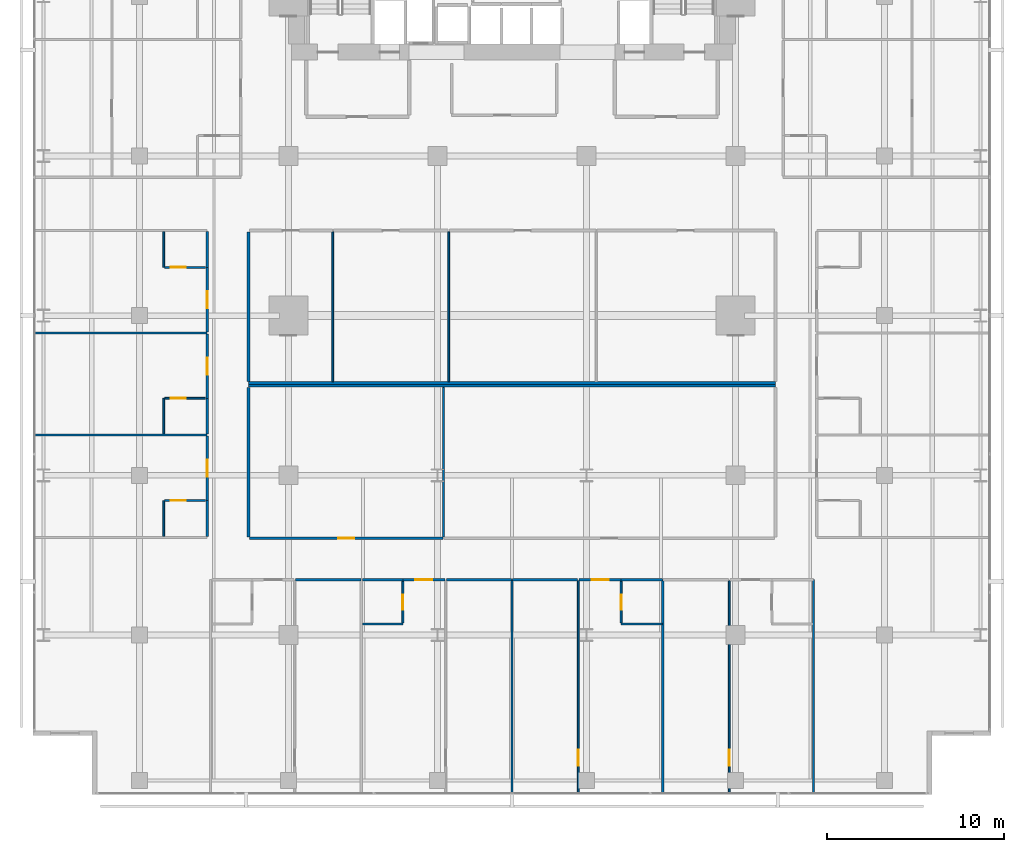
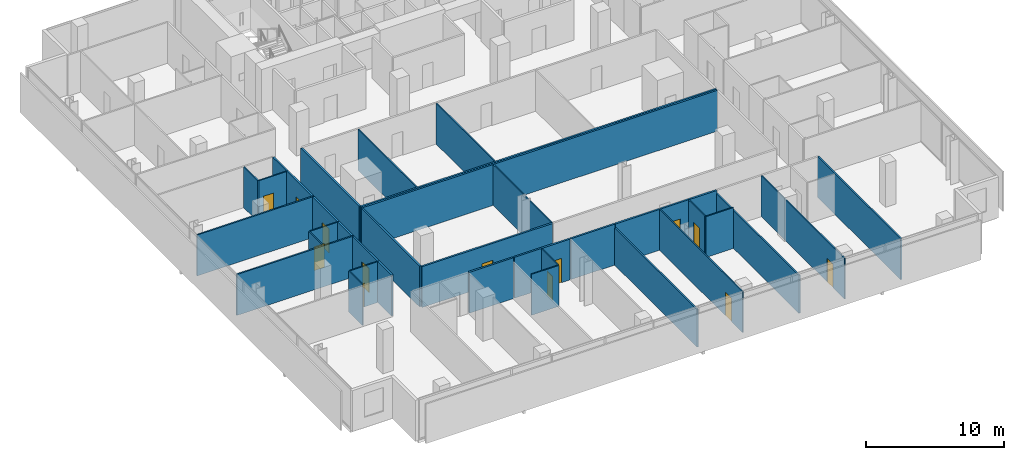
# One storey, part 33 of 40: 38 walls, 13 doors, 13 openings.
"""IFC4 building model written with IfcOpenShell, lengths in metres."""

from ifc_helpers import new_model, si_unit, direction, frame, frame_2d, origin, place, context, subcontext, project, spatial, rectangle, extrude, material, layer, layer_set, type_object, element, fill, save


model = new_model("IFC4")

# Units and contexts
model_context = context("Model", 3, precision=1e-05, world=origin(), true_north=direction((0.0, 1.0)))
body_context = subcontext(model_context, "Body", "Model", "MODEL_VIEW")
ifc_project = project(units=[si_unit("LENGTHUNIT", "METRE"), si_unit("AREAUNIT", "SQUARE_METRE"), si_unit("VOLUMEUNIT", "CUBIC_METRE"), si_unit("PLANEANGLEUNIT", "RADIAN"), si_unit("MASSUNIT", "GRAM", prefix="KILO")], contexts=[model_context])

# Site, building, storey
site_placement = place(None, origin())
site = spatial("IfcSite", under=ifc_project, at=site_placement, CompositionType="ELEMENT")
building_placement = place(site_placement, origin())
building = spatial("IfcBuilding", under=site, at=building_placement, Name="Maruvema Waterfront Hotel and Observation Tower", CompositionType="ELEMENT")
storey_placement = place(building_placement, frame((0.0, 0.0, 88.550048828125)))
storey = spatial("IfcBuildingStorey", under=building, at=storey_placement, Name="L21", CompositionType="ELEMENT", Elevation=88.550048828125)

# Walls
ifc_material_1 = material(Name="Twin-stud acoustic gypsum drywall", Category="gypsum")
ifc_layer_1 = layer(ifc_material_1, 0.14990234375, Name="Acoustic Corridor and Suite Demising Wall 150 mm")
ifc_layer_set_1 = layer_set([ifc_layer_1], Name="Twin-stud acoustic gypsum drywall")
wall_type_1 = type_object("IfcWallType", Name="Acoustic Corridor and Suite Demising Wall 150 mm", PredefinedType="PARTITIONING", material=ifc_layer_set_1)
wall_1_placement = place(storey_placement, frame((22.949951171875, 23.199951171875, 0.0), z_axis=(0.0, 0.0, 1.0), x_axis=(1.0, 0.0, 0.0)))
element("IfcWall", 1, at=wall_1_placement, inside=storey, type_object=wall_type_1, Name="L21 L21-INTN Back Wall 016", PredefinedType="PARTITIONING", context=body_context, shape_type="SweptSolid", body=[
    extrude(rectangle(XDim=29.699951171875, YDim=0.14990234375, at=frame_2d((14.85009765625, 0.0))), origin(), (0.0, 0.0, 1.0), 3.60986328125),
])
wall_2_placement = place(storey_placement, frame((22.949951171875, 23.280029296875, 0.0), z_axis=(0.0, 0.0, 1.0), x_axis=(0.0, 1.0, 0.0)))
element("IfcWall", 2, at=wall_2_placement, inside=storey, type_object=wall_type_1, Name="L21 L21-INTN West Wall 017", PredefinedType="PARTITIONING", context=body_context, shape_type="SweptSolid", body=[
    extrude(rectangle(XDim=8.43994140625, YDim=0.14990234375, at=frame_2d((4.219970703125, 0.0))), origin(), (0.0, 0.0, 1.0), 3.60986328125),
])
wall_3_placement = place(storey_placement, frame((22.949951171875, 23.0400390625, 0.0), z_axis=(0.0, 0.0, 1.0), x_axis=(1.0, 0.0, 0.0)))
element("IfcWall", 3, at=wall_3_placement, inside=storey, type_object=wall_type_1, Name="L21 L21-INTS Back Wall 026", PredefinedType="PARTITIONING", context=body_context, shape_type="SweptSolid", body=[
    extrude(rectangle(XDim=29.699951171875, YDim=0.14990234375, at=frame_2d((14.85009765625, 0.0))), origin(), (0.0, 0.0, 1.0), 3.60986328125),
])
wall_4_placement = place(storey_placement, frame((22.949951171875, 14.530029296875, 0.0), z_axis=(0.0, 0.0, 1.0), x_axis=(0.0, 1.0, 0.0)))
element("IfcWall", 4, at=wall_4_placement, inside=storey, type_object=wall_type_1, Name="L21 L21-INTS West Wall 027", PredefinedType="PARTITIONING", context=body_context, shape_type="SweptSolid", body=[
    extrude(rectangle(XDim=8.429931640625, YDim=0.14990234375, at=frame_2d((4.21484375, 0.0))), origin(), (0.0, 0.0, 1.0), 3.60986328125),
])

# Wall, opening, door
wall_5_placement = place(storey_placement, frame((23.010009765625, 14.449951171875, 0.0), z_axis=(0.0, 0.0, 1.0), x_axis=(1.0, 0.0, 0.0)))
wall_5 = element("IfcWall", 5, at=wall_5_placement, inside=storey, type_object=wall_type_1, Name="L21 L21-INTS Front 1 029", PredefinedType="PARTITIONING", context=body_context, shape_type="SweptSolid", body=[
    extrude(rectangle(XDim=10.89892578125, YDim=0.14990234375, at=frame_2d((5.449462890625, 0.0))), origin(), (0.0, 0.0, 1.0), 3.60986328125),
])
opening_1_placement = place(wall_5_placement, frame((4.99951171875, 0.0, 0.0)))
opening_1 = element("IfcOpeningElement", 6, at=opening_1_placement, cuts=wall_5, Name="Opening DR-090", PredefinedType="OPENING", context=body_context, shape_type="SweptSolid", body=[
    extrude(rectangle(XDim=0.89990234375, YDim=2.10009765625, at=frame_2d((0.449951171875, 1.050048828125))), frame((0.0, 0.0849609375, 0.0), z_axis=(0.0, -1.0, 0.0), x_axis=(1.0, 0.0, 0.0)), (0.0, 0.0, 1.0), 0.169921875),
])
ifc_material_2 = material(Name="Solid-core lacquered timber leaf", Category="wood")
door_type_1 = type_object("IfcDoorType", Name="Accessible Toilet and Room Door 900x2100 mm", OperationType="NOTDEFINED", PredefinedType="DOOR", material=ifc_material_2)
door_1_placement = place(opening_1_placement, frame((0.89990234375, 0.0, 0.0), z_axis=(0.0, 0.0, 1.0), x_axis=(-1.0, 0.0, 0.0)))
door_1 = element("IfcDoor", 7, at=door_1_placement, inside=storey, type_object=door_type_1, Name="L21 Curator Office Door", OperationType="SINGLE_SWING_LEFT", OverallHeight=2.10009765625, OverallWidth=0.89990234375, PredefinedType="DOOR", context=body_context, shape_type="SweptSolid", body=[
    extrude(rectangle(XDim=0.89990234375, YDim=2.10009765625, at=frame_2d((0.449951171875, 1.050048828125))), frame((0.0, 0.02490234375, 0.0), z_axis=(0.0, -1.0, 0.0), x_axis=(1.0, 0.0, 0.0)), (0.0, 0.0, 1.0), 0.050048828125),
])
fill(opening_1, door_1)

# Walls
wall_6_placement = place(storey_placement, frame((25.60009765625, 12.1201171875, 0.0), z_axis=(0.0, 0.0, 1.0), x_axis=(1.0, 0.0, 0.0)))
element("IfcWall", 8, at=wall_6_placement, inside=storey, type_object=wall_type_1, Name="L21 Bedroom L21-S1 Back Wall 038", PredefinedType="PARTITIONING", context=body_context, shape_type="SweptSolid", body=[
    extrude(rectangle(XDim=3.679931640625, YDim=0.14990234375, at=frame_2d((1.83984375, 0.0))), origin(), (0.0, 0.0, 1.0), 3.60986328125),
])
wall_7_placement = place(storey_placement, frame((29.3798828125, 12.1201171875, 0.0), z_axis=(0.0, 0.0, 1.0), x_axis=(1.0, 0.0, 0.0)))
element("IfcWall", 9, at=wall_7_placement, inside=storey, type_object=wall_type_1, Name="L21 Bath L21-S2 Back Wall 041", PredefinedType="PARTITIONING", context=body_context, shape_type="SweptSolid", body=[
    extrude(rectangle(XDim=2.27001953125, YDim=0.14990234375, at=frame_2d((1.135009765625, 0.0))), origin(), (0.0, 0.0, 1.0), 3.60986328125),
])

# Wall, opening, door
wall_8_placement = place(storey_placement, frame((31.64990234375, 12.1201171875, 0.0), z_axis=(0.0, 0.0, 1.0), x_axis=(1.0, 0.0, 0.0)))
wall_8 = element("IfcWall", 10, at=wall_8_placement, inside=storey, type_object=wall_type_1, Name="L21 Unit L21-S2 Corridor Wall 044", PredefinedType="PARTITIONING", context=body_context, shape_type="SweptSolid", body=[
    extrude(rectangle(XDim=2.3701171875, YDim=0.14990234375, at=frame_2d((1.18505859375, 0.0))), origin(), (0.0, 0.0, 1.0), 3.60986328125),
])
opening_2_placement = place(wall_8_placement, frame((0.7099609375, 0.0, 0.0)))
opening_2 = element("IfcOpeningElement", 11, at=opening_2_placement, cuts=wall_8, Name="Opening DR-095", PredefinedType="OPENING", context=body_context, shape_type="SweptSolid", body=[
    extrude(rectangle(XDim=0.949951171875, YDim=2.14990234375, at=frame_2d((0.47509765625, 1.074951171875))), frame((0.0, 0.0849609375, 0.0), z_axis=(0.0, -1.0, 0.0), x_axis=(1.0, 0.0, 0.0)), (0.0, 0.0, 1.0), 0.169921875),
])
ifc_material_3 = material(Name="Acoustic solid-core hardwood timber leaf", Category="wood")
door_type_2 = type_object("IfcDoorType", Name="Guestroom Entrance Fire Door 950x2150 mm", OperationType="NOTDEFINED", PredefinedType="DOOR", material=ifc_material_3)
door_2_placement = place(opening_2_placement, frame((0.949951171875, 0.0, 0.0), z_axis=(0.0, 0.0, 1.0), x_axis=(-1.0, 0.0, 0.0)))
door_2 = element("IfcDoor", 12, at=door_2_placement, inside=storey, type_object=door_type_2, Name="L21 Unit L21-S2 Entrance Door", OperationType="SINGLE_SWING_LEFT", OverallHeight=2.14990234375, OverallWidth=0.949951171875, PredefinedType="DOOR", context=body_context, shape_type="SweptSolid", body=[
    extrude(rectangle(XDim=0.949951171875, YDim=2.14990234375, at=frame_2d((0.47509765625, 1.074951171875))), frame((0.0, 0.02490234375, 0.0), z_axis=(0.0, -1.0, 0.0), x_axis=(1.0, 0.0, 0.0)), (0.0, 0.0, 1.0), 0.050048828125),
])
fill(opening_2, door_2)

# Walls
wall_9_placement = place(storey_placement, frame((34.10009765625, 12.1201171875, 0.0), z_axis=(0.0, 0.0, 1.0), x_axis=(1.0, 0.0, 0.0)))
element("IfcWall", 13, at=wall_9_placement, inside=storey, type_object=wall_type_1, Name="L21 Bedroom L21-S2 Back Wall 045", PredefinedType="PARTITIONING", context=body_context, shape_type="SweptSolid", body=[
    extrude(rectangle(XDim=3.679931640625, YDim=0.14990234375, at=frame_2d((1.83984375, 0.0))), origin(), (0.0, 0.0, 1.0), 3.60986328125),
])
wall_10_placement = place(storey_placement, frame((43.949951171875, 12.1201171875, 0.0), z_axis=(0.0, 0.0, 1.0), x_axis=(1.0, 0.0, 0.0)))
element("IfcWall", 14, at=wall_10_placement, inside=storey, type_object=wall_type_1, Name="L21 Bath L21-S3 Back Wall 048", PredefinedType="PARTITIONING", context=body_context, shape_type="SweptSolid", body=[
    extrude(rectangle(XDim=2.330078125, YDim=0.14990234375, at=frame_2d((1.1650390625, 0.0))), origin(), (0.0, 0.0, 1.0), 3.60986328125),
])
wall_11_placement = place(storey_placement, frame((37.820068359375, 12.1201171875, 0.0), z_axis=(0.0, 0.0, 1.0), x_axis=(1.0, 0.0, 0.0)))
element("IfcWall", 15, at=wall_11_placement, inside=storey, type_object=wall_type_1, Name="L21 Bedroom L21-S3 Back Wall 051", PredefinedType="PARTITIONING", context=body_context, shape_type="SweptSolid", body=[
    extrude(rectangle(XDim=3.679931640625, YDim=0.14990234375, at=frame_2d((1.83984375, 0.0))), origin(), (0.0, 0.0, 1.0), 3.60986328125),
])

# Wall, opening, door
wall_12_placement = place(storey_placement, frame((41.580078125, 12.1201171875, 0.0), z_axis=(0.0, 0.0, 1.0), x_axis=(1.0, 0.0, 0.0)))
wall_12 = element("IfcWall", 16, at=wall_12_placement, inside=storey, type_object=wall_type_1, Name="L21 Unit L21-S3 Corridor Wall 052", PredefinedType="PARTITIONING", context=body_context, shape_type="SweptSolid", body=[
    extrude(rectangle(XDim=2.369873046875, YDim=0.14990234375, at=frame_2d((1.18505859375, 0.0))), origin(), (0.0, 0.0, 1.0), 3.60986328125),
])
opening_3_placement = place(wall_12_placement, frame((0.7099609375, 0.0, 0.0)))
opening_3 = element("IfcOpeningElement", 17, at=opening_3_placement, cuts=wall_12, Name="Opening DR-095", PredefinedType="OPENING", context=body_context, shape_type="SweptSolid", body=[
    extrude(rectangle(XDim=0.949951171875, YDim=2.14990234375, at=frame_2d((0.47509765625, 1.074951171875))), frame((0.0, 0.0849609375, 0.0), z_axis=(0.0, -1.0, 0.0), x_axis=(1.0, 0.0, 0.0)), (0.0, 0.0, 1.0), 0.169921875),
])
door_3_placement = place(opening_3_placement, frame((0.949951171875, 0.0, 0.0), z_axis=(0.0, 0.0, 1.0), x_axis=(-1.0, 0.0, 0.0)))
door_3 = element("IfcDoor", 18, at=door_3_placement, inside=storey, type_object=door_type_2, Name="L21 Unit L21-S3 Entrance Door", OperationType="SINGLE_SWING_RIGHT", OverallHeight=2.14990234375, OverallWidth=0.949951171875, PredefinedType="DOOR", context=body_context, shape_type="SweptSolid", body=[
    extrude(rectangle(XDim=0.949951171875, YDim=2.14990234375, at=frame_2d((0.47509765625, 1.074951171875))), frame((0.0, 0.02490234375, 0.0), z_axis=(0.0, -1.0, 0.0), x_axis=(1.0, 0.0, 0.0)), (0.0, 0.0, 1.0), 0.050048828125),
])
fill(opening_3, door_3)

# Wall
wall_13_placement = place(storey_placement, frame((20.6201171875, 14.56005859375, 0.0), z_axis=(0.0, 0.0, 1.0), x_axis=(0.0, 1.0, 0.0)))
element("IfcWall", 19, at=wall_13_placement, inside=storey, type_object=wall_type_1, Name="L21 Bath L21-W1 Wall 065", PredefinedType="PARTITIONING", context=body_context, shape_type="SweptSolid", body=[
    extrude(rectangle(XDim=2.02001953125, YDim=0.14990234375, at=frame_2d((1.010009765625, 0.0))), origin(), (0.0, 0.0, 1.0), 3.60986328125),
])

# Wall, opening, door
wall_14_placement = place(storey_placement, frame((20.6201171875, 16.580078125, 0.0), z_axis=(0.0, 0.0, 1.0), x_axis=(0.0, 1.0, 0.0)))
wall_14 = element("IfcWall", 20, at=wall_14_placement, inside=storey, type_object=wall_type_1, Name="L21 Room L21-W1 Corridor Wall 066", PredefinedType="PARTITIONING", context=body_context, shape_type="SweptSolid", body=[
    extrude(rectangle(XDim=3.6298828125, YDim=0.14990234375, at=frame_2d((1.81494140625, 0.0))), origin(), (0.0, 0.0, 1.0), 3.60986328125),
])
opening_4_placement = place(wall_14_placement, frame((1.340087890625, 0.0, 0.0)))
opening_4 = element("IfcOpeningElement", 21, at=opening_4_placement, cuts=wall_14, Name="Opening DR-095", PredefinedType="OPENING", context=body_context, shape_type="SweptSolid", body=[
    extrude(rectangle(XDim=0.949951171875, YDim=2.14990234375, at=frame_2d((0.47509765625, 1.074951171875))), frame((0.0, 0.0849609375, 0.0), z_axis=(0.0, -1.0, 0.0), x_axis=(1.0, 0.0, 0.0)), (0.0, 0.0, 1.0), 0.169921875),
])
door_4_placement = place(opening_4_placement, origin())
door_4 = element("IfcDoor", 22, at=door_4_placement, inside=storey, type_object=door_type_2, Name="L21 Room L21-W1 Entrance Door", OperationType="SINGLE_SWING_RIGHT", OverallHeight=2.14990234375, OverallWidth=0.949951171875, PredefinedType="DOOR", context=body_context, shape_type="SweptSolid", body=[
    extrude(rectangle(XDim=0.949951171875, YDim=2.14990234375, at=frame_2d((0.47509765625, 1.074951171875))), frame((0.0, 0.02490234375, 0.0), z_axis=(0.0, -1.0, 0.0), x_axis=(1.0, 0.0, 0.0)), (0.0, 0.0, 1.0), 0.050048828125),
])
fill(opening_4, door_4)

# Wall
wall_15_placement = place(storey_placement, frame((20.6201171875, 20.330078125, 0.0), z_axis=(0.0, 0.0, 1.0), x_axis=(0.0, 1.0, 0.0)))
element("IfcWall", 23, at=wall_15_placement, inside=storey, type_object=wall_type_1, Name="L21 Bath L21-W2 Wall 075", PredefinedType="PARTITIONING", context=body_context, shape_type="SweptSolid", body=[
    extrude(rectangle(XDim=2.010009765625, YDim=0.14990234375, at=frame_2d((1.0048828125, 0.0))), origin(), (0.0, 0.0, 1.0), 3.60986328125),
])

# Wall, opening, door
wall_16_placement = place(storey_placement, frame((20.6201171875, 22.340087890625, 0.0), z_axis=(0.0, 0.0, 1.0), x_axis=(0.0, 1.0, 0.0)))
wall_16 = element("IfcWall", 24, at=wall_16_placement, inside=storey, type_object=wall_type_1, Name="L21 Room L21-W2 Corridor Wall 076", PredefinedType="PARTITIONING", context=body_context, shape_type="SweptSolid", body=[
    extrude(rectangle(XDim=3.6298828125, YDim=0.14990234375, at=frame_2d((1.81494140625, 0.0))), origin(), (0.0, 0.0, 1.0), 3.60986328125),
])
opening_5_placement = place(wall_16_placement, frame((1.340087890625, 0.0, 0.0)))
opening_5 = element("IfcOpeningElement", 25, at=opening_5_placement, cuts=wall_16, Name="Opening DR-095", PredefinedType="OPENING", context=body_context, shape_type="SweptSolid", body=[
    extrude(rectangle(XDim=0.949951171875, YDim=2.14990234375, at=frame_2d((0.47509765625, 1.074951171875))), frame((0.0, 0.0849609375, 0.0), z_axis=(0.0, -1.0, 0.0), x_axis=(1.0, 0.0, 0.0)), (0.0, 0.0, 1.0), 0.169921875),
])
door_5_placement = place(opening_5_placement, origin())
door_5 = element("IfcDoor", 26, at=door_5_placement, inside=storey, type_object=door_type_2, Name="L21 Room L21-W2 Entrance Door", OperationType="SINGLE_SWING_RIGHT", OverallHeight=2.14990234375, OverallWidth=0.949951171875, PredefinedType="DOOR", context=body_context, shape_type="SweptSolid", body=[
    extrude(rectangle(XDim=0.949951171875, YDim=2.14990234375, at=frame_2d((0.47509765625, 1.074951171875))), frame((0.0, 0.02490234375, 0.0), z_axis=(0.0, -1.0, 0.0), x_axis=(1.0, 0.0, 0.0)), (0.0, 0.0, 1.0), 0.050048828125),
])
fill(opening_5, door_5)

wall_17_placement = place(storey_placement, frame((20.6201171875, 26.090087890625, 0.0), z_axis=(0.0, 0.0, 1.0), x_axis=(0.0, 1.0, 0.0)))
wall_17 = element("IfcWall", 27, at=wall_17_placement, inside=storey, type_object=wall_type_1, Name="L21 Room L21-W3 Corridor Wall 085", PredefinedType="PARTITIONING", context=body_context, shape_type="SweptSolid", body=[
    extrude(rectangle(XDim=3.6298828125, YDim=0.14990234375, at=frame_2d((1.81494140625, 0.0))), origin(), (0.0, 0.0, 1.0), 3.60986328125),
])
opening_6_placement = place(wall_17_placement, frame((1.340087890625, 0.0, 0.0)))
opening_6 = element("IfcOpeningElement", 28, at=opening_6_placement, cuts=wall_17, Name="Opening DR-095", PredefinedType="OPENING", context=body_context, shape_type="SweptSolid", body=[
    extrude(rectangle(XDim=0.949951171875, YDim=2.14990234375, at=frame_2d((0.47509765625, 1.074951171875))), frame((0.0, 0.0849609375, 0.0), z_axis=(0.0, -1.0, 0.0), x_axis=(1.0, 0.0, 0.0)), (0.0, 0.0, 1.0), 0.169921875),
])
door_6_placement = place(opening_6_placement, origin())
door_6 = element("IfcDoor", 29, at=door_6_placement, inside=storey, type_object=door_type_2, Name="L21 Room L21-W3 Entrance Door", OperationType="SINGLE_SWING_RIGHT", OverallHeight=2.14990234375, OverallWidth=0.949951171875, PredefinedType="DOOR", context=body_context, shape_type="SweptSolid", body=[
    extrude(rectangle(XDim=0.949951171875, YDim=2.14990234375, at=frame_2d((0.47509765625, 1.074951171875))), frame((0.0, 0.02490234375, 0.0), z_axis=(0.0, -1.0, 0.0), x_axis=(1.0, 0.0, 0.0)), (0.0, 0.0, 1.0), 0.050048828125),
])
fill(opening_6, door_6)

# Walls
wall_18_placement = place(storey_placement, frame((20.6201171875, 29.719970703125, 0.0), z_axis=(0.0, 0.0, 1.0), x_axis=(0.0, 1.0, 0.0)))
element("IfcWall", 30, at=wall_18_placement, inside=storey, type_object=wall_type_1, Name="L21 Bath L21-W3 Wall 086", PredefinedType="PARTITIONING", context=body_context, shape_type="SweptSolid", body=[
    extrude(rectangle(XDim=2.02001953125, YDim=0.14990234375, at=frame_2d((1.010009765625, 0.0))), origin(), (0.0, 0.0, 1.0), 3.60986328125),
])
ifc_material_4 = material(Name="Moisture-resistant cement-board drywall", Category="gypsum")
ifc_layer_2 = layer(ifc_material_4, 0.10009765625, Name="En-Suite Moisture-Resistant Partition 100 mm")
ifc_layer_set_2 = layer_set([ifc_layer_2], Name="Moisture-resistant cement-board drywall")
wall_type_2 = type_object("IfcWallType", Name="En-Suite Moisture-Resistant Partition 100 mm", PredefinedType="PARTITIONING", material=ifc_layer_set_2)
for number, where, z_axis, x_axis, name in (
    (31, (27.701904296875, 23.280029296875, 0.0), (0.0, 0.0, 1.0), (0.0, 1.0, 0.0), "L21 L21-INTN Split 1 020"),
    (32, (34.236083984375, 23.280029296875, 0.0), (0.0, 0.0, 1.0), (0.0, 1.0, 0.0), "L21 L21-INTN Split 2 022"),
):
    element("IfcWall", number, at=place(storey_placement, frame(where, z_axis=z_axis, x_axis=x_axis)), inside=storey, type_object=wall_type_2, Name=name, PredefinedType="PARTITIONING", context=body_context, shape_type="SweptSolid", body=[
        extrude(rectangle(XDim=8.43994140625, YDim=0.10009765625, at=frame_2d((4.219970703125, 0.0))), origin(), (0.0, 0.0, 1.0), 3.60986328125),
    ])
wall_19_placement = place(storey_placement, frame((33.93896484375, 14.530029296875, 0.0), z_axis=(0.0, 0.0, 1.0), x_axis=(0.0, 1.0, 0.0)))
element("IfcWall", 33, at=wall_19_placement, inside=storey, type_object=wall_type_2, Name="L21 L21-INTS Split 1 030", PredefinedType="PARTITIONING", context=body_context, shape_type="SweptSolid", body=[
    extrude(rectangle(XDim=8.429931640625, YDim=0.10009765625, at=frame_2d((4.21484375, 0.0))), origin(), (0.0, 0.0, 1.0), 3.60986328125),
])
wall_20_placement = place(storey_placement, frame((29.3798828125, 9.6201171875, 0.0), z_axis=(0.0, 0.0, 1.0), x_axis=(1.0, 0.0, 0.0)))
element("IfcWall", 34, at=wall_20_placement, inside=storey, type_object=wall_type_2, Name="L21 En-Suite L21-S2 South 042", PredefinedType="PARTITIONING", context=body_context, shape_type="SweptSolid", body=[
    extrude(rectangle(XDim=2.27001953125, YDim=0.10009765625, at=frame_2d((1.135009765625, 0.0))), origin(), (0.0, 0.0, 1.0), 3.60986328125),
])

# Wall, opening, door
wall_21_placement = place(storey_placement, frame((31.64990234375, 9.679931640625, 0.0), z_axis=(0.0, 0.0, 1.0), x_axis=(0.0, 1.0, 0.0)))
wall_21 = element("IfcWall", 35, at=wall_21_placement, inside=storey, type_object=wall_type_2, Name="L21 En-Suite L21-S2 East 043", PredefinedType="PARTITIONING", context=body_context, shape_type="SweptSolid", body=[
    extrude(rectangle(XDim=2.340087890625, YDim=0.10009765625, at=frame_2d((1.169921875, 0.0))), origin(), (0.0, 0.0, 1.0), 3.60986328125),
])
opening_7_placement = place(wall_21_placement, frame((0.7451171875, 0.0, 0.0)))
opening_7 = element("IfcOpeningElement", 36, at=opening_7_placement, cuts=wall_21, Name="Opening DR-085", PredefinedType="OPENING", context=body_context, shape_type="SweptSolid", body=[
    extrude(rectangle(XDim=0.85009765625, YDim=2.10009765625, at=frame_2d((0.425048828125, 1.050048828125))), frame((0.0, 0.06005859375, 0.0), z_axis=(0.0, -1.0, 0.0), x_axis=(1.0, 0.0, 0.0)), (0.0, 0.0, 1.0), 0.1201171875),
])
ifc_material_5 = material(Name="Moisture-resistant solid timber leaf", Category="wood")
door_type_3 = type_object("IfcDoorType", Name="En-Suite Bathroom Door 850x2100 mm", OperationType="NOTDEFINED", PredefinedType="DOOR", material=ifc_material_5)
door_7_placement = place(opening_7_placement, frame((0.85009765625, 0.0, 0.0), z_axis=(0.0, 0.0, 1.0), x_axis=(-1.0, 0.0, 0.0)))
door_7 = element("IfcDoor", 37, at=door_7_placement, inside=storey, type_object=door_type_3, Name="L21 En-Suite L21-S2 Door", OperationType="SINGLE_SWING_RIGHT", OverallHeight=2.10009765625, OverallWidth=0.85009765625, PredefinedType="DOOR", context=body_context, shape_type="SweptSolid", body=[
    extrude(rectangle(XDim=0.85009765625, YDim=2.10009765625, at=frame_2d((0.425048828125, 1.050048828125))), frame((0.0, 0.02490234375, 0.0), z_axis=(0.0, -1.0, 0.0), x_axis=(1.0, 0.0, 0.0)), (0.0, 0.0, 1.0), 0.050048828125),
])
fill(opening_7, door_7)

# Wall
wall_22_placement = place(storey_placement, frame((43.949951171875, 9.6201171875, 0.0), z_axis=(0.0, 0.0, 1.0), x_axis=(1.0, 0.0, 0.0)))
element("IfcWall", 38, at=wall_22_placement, inside=storey, type_object=wall_type_2, Name="L21 En-Suite L21-S3 South 049", PredefinedType="PARTITIONING", context=body_context, shape_type="SweptSolid", body=[
    extrude(rectangle(XDim=2.31005859375, YDim=0.10009765625, at=frame_2d((1.155029296875, 0.0))), origin(), (0.0, 0.0, 1.0), 3.60986328125),
])

# Wall, opening, door
wall_23_placement = place(storey_placement, frame((43.949951171875, 9.679931640625, 0.0), z_axis=(0.0, 0.0, 1.0), x_axis=(0.0, 1.0, 0.0)))
wall_23 = element("IfcWall", 39, at=wall_23_placement, inside=storey, type_object=wall_type_2, Name="L21 En-Suite L21-S3 West 050", PredefinedType="PARTITIONING", context=body_context, shape_type="SweptSolid", body=[
    extrude(rectangle(XDim=2.340087890625, YDim=0.10009765625, at=frame_2d((1.169921875, 0.0))), origin(), (0.0, 0.0, 1.0), 3.60986328125),
])
opening_8_placement = place(wall_23_placement, frame((0.7451171875, 0.0, 0.0)))
opening_8 = element("IfcOpeningElement", 40, at=opening_8_placement, cuts=wall_23, Name="Opening DR-085", PredefinedType="OPENING", context=body_context, shape_type="SweptSolid", body=[
    extrude(rectangle(XDim=0.85009765625, YDim=2.10009765625, at=frame_2d((0.425048828125, 1.050048828125))), frame((0.0, 0.06005859375, 0.0), z_axis=(0.0, -1.0, 0.0), x_axis=(1.0, 0.0, 0.0)), (0.0, 0.0, 1.0), 0.1201171875),
])
door_8_placement = place(opening_8_placement, origin())
door_8 = element("IfcDoor", 41, at=door_8_placement, inside=storey, type_object=door_type_3, Name="L21 En-Suite L21-S3 Door", OperationType="SINGLE_SWING_LEFT", OverallHeight=2.10009765625, OverallWidth=0.85009765625, PredefinedType="DOOR", context=body_context, shape_type="SweptSolid", body=[
    extrude(rectangle(XDim=0.85009765625, YDim=2.10009765625, at=frame_2d((0.425048828125, 1.050048828125))), frame((0.0, 0.02490234375, 0.0), z_axis=(0.0, -1.0, 0.0), x_axis=(1.0, 0.0, 0.0)), (0.0, 0.0, 1.0), 0.050048828125),
])
fill(opening_8, door_8)

wall_24_placement = place(storey_placement, frame((41.5400390625, 0.030029296875, 0.0), z_axis=(0.0, 0.0, 1.0), x_axis=(0.0, 1.0, 0.0)))
wall_24 = element("IfcWall", 42, at=wall_24_placement, inside=storey, type_object=wall_type_2, Name="L21 Suite L21-S3 Split 053", PredefinedType="PARTITIONING", context=body_context, shape_type="SweptSolid", body=[
    extrude(rectangle(XDim=12.030029296875, YDim=0.10009765625, at=frame_2d((6.01513671875, 0.0))), origin(), (0.0, 0.0, 1.0), 3.60986328125),
])
opening_9_placement = place(wall_24_placement, frame((1.60009765625, 0.0, 0.0)))
opening_9 = element("IfcOpeningElement", 43, at=opening_9_placement, cuts=wall_24, Name="Opening DR-090", PredefinedType="OPENING", context=body_context, shape_type="SweptSolid", body=[
    extrude(rectangle(XDim=0.89990234375, YDim=2.10009765625, at=frame_2d((0.449951171875, 1.050048828125))), frame((0.0, 0.06005859375, 0.0), z_axis=(0.0, -1.0, 0.0), x_axis=(1.0, 0.0, 0.0)), (0.0, 0.0, 1.0), 0.1201171875),
])
door_9_placement = place(opening_9_placement, frame((0.89990234375, 0.0, 0.0), z_axis=(0.0, 0.0, 1.0), x_axis=(-1.0, 0.0, 0.0)))
door_9 = element("IfcDoor", 44, at=door_9_placement, inside=storey, type_object=door_type_1, Name="L21 Suite L21-S3 Bedroom Door", OperationType="SINGLE_SWING_LEFT", OverallHeight=2.10009765625, OverallWidth=0.89990234375, PredefinedType="DOOR", context=body_context, shape_type="SweptSolid", body=[
    extrude(rectangle(XDim=0.89990234375, YDim=2.10009765625, at=frame_2d((0.449951171875, 1.050048828125))), frame((0.0, 0.02490234375, 0.0), z_axis=(0.0, -1.0, 0.0), x_axis=(1.0, 0.0, 0.0)), (0.0, 0.0, 1.0), 0.050048828125),
])
fill(opening_9, door_9)

wall_25_placement = place(storey_placement, frame((50.0400390625, 0.030029296875, 0.0), z_axis=(0.0, 0.0, 1.0), x_axis=(0.0, 1.0, 0.0)))
wall_25 = element("IfcWall", 45, at=wall_25_placement, inside=storey, type_object=wall_type_2, Name="L21 Suite L21-S4 Split 060", PredefinedType="PARTITIONING", context=body_context, shape_type="SweptSolid", body=[
    extrude(rectangle(XDim=12.030029296875, YDim=0.10009765625, at=frame_2d((6.01513671875, 0.0))), origin(), (0.0, 0.0, 1.0), 3.60986328125),
])
opening_10_placement = place(wall_25_placement, frame((1.60009765625, 0.0, 0.0)))
opening_10 = element("IfcOpeningElement", 46, at=opening_10_placement, cuts=wall_25, Name="Opening DR-090", PredefinedType="OPENING", context=body_context, shape_type="SweptSolid", body=[
    extrude(rectangle(XDim=0.89990234375, YDim=2.10009765625, at=frame_2d((0.449951171875, 1.050048828125))), frame((0.0, 0.06005859375, 0.0), z_axis=(0.0, -1.0, 0.0), x_axis=(1.0, 0.0, 0.0)), (0.0, 0.0, 1.0), 0.1201171875),
])
door_10_placement = place(opening_10_placement, frame((0.89990234375, 0.0, 0.0), z_axis=(0.0, 0.0, 1.0), x_axis=(-1.0, 0.0, 0.0)))
door_10 = element("IfcDoor", 47, at=door_10_placement, inside=storey, type_object=door_type_1, Name="L21 Suite L21-S4 Bedroom Door", OperationType="SINGLE_SWING_RIGHT", OverallHeight=2.10009765625, OverallWidth=0.89990234375, PredefinedType="DOOR", context=body_context, shape_type="SweptSolid", body=[
    extrude(rectangle(XDim=0.89990234375, YDim=2.10009765625, at=frame_2d((0.449951171875, 1.050048828125))), frame((0.0, 0.02490234375, 0.0), z_axis=(0.0, -1.0, 0.0), x_axis=(1.0, 0.0, 0.0)), (0.0, 0.0, 1.0), 0.050048828125),
])
fill(opening_10, door_10)

# Wall
wall_26_placement = place(storey_placement, frame((18.169921875, 14.56005859375, 0.0), z_axis=(0.0, 0.0, 1.0), x_axis=(0.0, 1.0, 0.0)))
element("IfcWall", 48, at=wall_26_placement, inside=storey, type_object=wall_type_2, Name="L21 En-Suite L21-W1 W 067", PredefinedType="PARTITIONING", context=body_context, shape_type="SweptSolid", body=[
    extrude(rectangle(XDim=2.02001953125, YDim=0.10009765625, at=frame_2d((1.010009765625, 0.0))), origin(), (0.0, 0.0, 1.0), 3.60986328125),
])

# Wall, opening, door
wall_27_placement = place(storey_placement, frame((18.219970703125, 16.580078125, 0.0), z_axis=(0.0, 0.0, 1.0), x_axis=(1.0, 0.0, 0.0)))
wall_27 = element("IfcWall", 49, at=wall_27_placement, inside=storey, type_object=wall_type_2, Name="L21 En-Suite L21-W1 N 068", PredefinedType="PARTITIONING", context=body_context, shape_type="SweptSolid", body=[
    extrude(rectangle(XDim=2.300048828125, YDim=0.10009765625, at=frame_2d((1.14990234375, 0.0))), origin(), (0.0, 0.0, 1.0), 3.60986328125),
])
opening_11_placement = place(wall_27_placement, frame((0.35009765625, 0.0, 0.0)))
opening_11 = element("IfcOpeningElement", 50, at=opening_11_placement, cuts=wall_27, Name="Opening DR-085", PredefinedType="OPENING", context=body_context, shape_type="SweptSolid", body=[
    extrude(rectangle(XDim=0.85009765625, YDim=2.10009765625, at=frame_2d((0.425048828125, 1.050048828125))), frame((0.0, 0.06005859375, 0.0), z_axis=(0.0, -1.0, 0.0), x_axis=(1.0, 0.0, 0.0)), (0.0, 0.0, 1.0), 0.1201171875),
])
door_11_placement = place(opening_11_placement, origin())
door_11 = element("IfcDoor", 51, at=door_11_placement, inside=storey, type_object=door_type_3, Name="L21 En-Suite L21-W1 Door", OperationType="SINGLE_SWING_LEFT", OverallHeight=2.10009765625, OverallWidth=0.85009765625, PredefinedType="DOOR", context=body_context, shape_type="SweptSolid", body=[
    extrude(rectangle(XDim=0.85009765625, YDim=2.10009765625, at=frame_2d((0.425048828125, 1.050048828125))), frame((0.0, 0.02490234375, 0.0), z_axis=(0.0, -1.0, 0.0), x_axis=(1.0, 0.0, 0.0)), (0.0, 0.0, 1.0), 0.050048828125),
])
fill(opening_11, door_11)

# Wall
wall_28_placement = place(storey_placement, frame((18.169921875, 20.330078125, 0.0), z_axis=(0.0, 0.0, 1.0), x_axis=(0.0, 1.0, 0.0)))
element("IfcWall", 52, at=wall_28_placement, inside=storey, type_object=wall_type_2, Name="L21 En-Suite L21-W2 W 077", PredefinedType="PARTITIONING", context=body_context, shape_type="SweptSolid", body=[
    extrude(rectangle(XDim=2.010009765625, YDim=0.10009765625, at=frame_2d((1.0048828125, 0.0))), origin(), (0.0, 0.0, 1.0), 3.60986328125),
])

# Wall, opening, door
wall_29_placement = place(storey_placement, frame((18.219970703125, 22.340087890625, 0.0), z_axis=(0.0, 0.0, 1.0), x_axis=(1.0, 0.0, 0.0)))
wall_29 = element("IfcWall", 53, at=wall_29_placement, inside=storey, type_object=wall_type_2, Name="L21 En-Suite L21-W2 N 078", PredefinedType="PARTITIONING", context=body_context, shape_type="SweptSolid", body=[
    extrude(rectangle(XDim=2.300048828125, YDim=0.10009765625, at=frame_2d((1.14990234375, 0.0))), origin(), (0.0, 0.0, 1.0), 3.60986328125),
])
opening_12_placement = place(wall_29_placement, frame((0.35009765625, 0.0, 0.0)))
opening_12 = element("IfcOpeningElement", 54, at=opening_12_placement, cuts=wall_29, Name="Opening DR-085", PredefinedType="OPENING", context=body_context, shape_type="SweptSolid", body=[
    extrude(rectangle(XDim=0.85009765625, YDim=2.10009765625, at=frame_2d((0.425048828125, 1.050048828125))), frame((0.0, 0.06005859375, 0.0), z_axis=(0.0, -1.0, 0.0), x_axis=(1.0, 0.0, 0.0)), (0.0, 0.0, 1.0), 0.1201171875),
])
door_12_placement = place(opening_12_placement, origin())
door_12 = element("IfcDoor", 55, at=door_12_placement, inside=storey, type_object=door_type_3, Name="L21 En-Suite L21-W2 Door", OperationType="SINGLE_SWING_LEFT", OverallHeight=2.10009765625, OverallWidth=0.85009765625, PredefinedType="DOOR", context=body_context, shape_type="SweptSolid", body=[
    extrude(rectangle(XDim=0.85009765625, YDim=2.10009765625, at=frame_2d((0.425048828125, 1.050048828125))), frame((0.0, 0.02490234375, 0.0), z_axis=(0.0, -1.0, 0.0), x_axis=(1.0, 0.0, 0.0)), (0.0, 0.0, 1.0), 0.050048828125),
])
fill(opening_12, door_12)

# Wall
wall_30_placement = place(storey_placement, frame((18.169921875, 29.719970703125, 0.0), z_axis=(0.0, 0.0, 1.0), x_axis=(0.0, 1.0, 0.0)))
element("IfcWall", 56, at=wall_30_placement, inside=storey, type_object=wall_type_2, Name="L21 En-Suite L21-W3 W 087", PredefinedType="PARTITIONING", context=body_context, shape_type="SweptSolid", body=[
    extrude(rectangle(XDim=2.02001953125, YDim=0.10009765625, at=frame_2d((1.010009765625, 0.0))), origin(), (0.0, 0.0, 1.0), 3.60986328125),
])

# Wall, opening, door
wall_31_placement = place(storey_placement, frame((18.219970703125, 29.719970703125, 0.0), z_axis=(0.0, 0.0, 1.0), x_axis=(1.0, 0.0, 0.0)))
wall_31 = element("IfcWall", 57, at=wall_31_placement, inside=storey, type_object=wall_type_2, Name="L21 En-Suite L21-W3 S 088", PredefinedType="PARTITIONING", context=body_context, shape_type="SweptSolid", body=[
    extrude(rectangle(XDim=2.300048828125, YDim=0.10009765625, at=frame_2d((1.14990234375, 0.0))), origin(), (0.0, 0.0, 1.0), 3.60986328125),
])
opening_13_placement = place(wall_31_placement, frame((0.35009765625, 0.0, 0.0)))
opening_13 = element("IfcOpeningElement", 58, at=opening_13_placement, cuts=wall_31, Name="Opening DR-085", PredefinedType="OPENING", context=body_context, shape_type="SweptSolid", body=[
    extrude(rectangle(XDim=0.85009765625, YDim=2.10009765625, at=frame_2d((0.425048828125, 1.050048828125))), frame((0.0, 0.06005859375, 0.0), z_axis=(0.0, -1.0, 0.0), x_axis=(1.0, 0.0, 0.0)), (0.0, 0.0, 1.0), 0.1201171875),
])
door_13_placement = place(opening_13_placement, frame((0.85009765625, 0.0, 0.0), z_axis=(0.0, 0.0, 1.0), x_axis=(-1.0, 0.0, 0.0)))
door_13 = element("IfcDoor", 59, at=door_13_placement, inside=storey, type_object=door_type_3, Name="L21 En-Suite L21-W3 Door", OperationType="SINGLE_SWING_LEFT", OverallHeight=2.10009765625, OverallWidth=0.85009765625, PredefinedType="DOOR", context=body_context, shape_type="SweptSolid", body=[
    extrude(rectangle(XDim=0.85009765625, YDim=2.10009765625, at=frame_2d((0.425048828125, 1.050048828125))), frame((0.0, 0.02490234375, 0.0), z_axis=(0.0, -1.0, 0.0), x_axis=(1.0, 0.0, 0.0)), (0.0, 0.0, 1.0), 0.050048828125),
])
fill(opening_13, door_13)

# Walls
ifc_material_6 = material(Name="Acoustic gypsum plasterboard drywall", Category="gypsum")
ifc_layer_3 = layer(ifc_material_6, 0.125, Name="Guestroom Acoustic Demising Wall 125 mm")
ifc_layer_set_3 = layer_set([ifc_layer_3], Name="Acoustic gypsum plasterboard drywall")
wall_type_3 = type_object("IfcWallType", Name="Guestroom Acoustic Demising Wall 125 mm", PredefinedType="PARTITIONING", material=ifc_layer_set_3)
wall_32_placement = place(storey_placement, frame((54.800048828125, 0.10009765625, 0.0), z_axis=(0.0, 0.0, 1.0), x_axis=(0.0, 1.0, 0.0)))
element("IfcWall", 60, at=wall_32_placement, inside=storey, type_object=wall_type_3, Name="L21 S East End 033", PredefinedType="PARTITIONING", context=body_context, shape_type="SweptSolid", body=[
    extrude(rectangle(XDim=12.02001953125, YDim=0.125, at=frame_2d((6.010009765625, 0.0))), origin(), (0.0, 0.0, 1.0), 3.60986328125),
])
wall_33_placement = place(storey_placement, frame((37.800048828125, 0.10009765625, 0.0), z_axis=(0.0, 0.0, 1.0), x_axis=(0.0, 1.0, 0.0)))
element("IfcWall", 61, at=wall_33_placement, inside=storey, type_object=wall_type_3, Name="L21 S Demising 3 047", PredefinedType="PARTITIONING", context=body_context, shape_type="SweptSolid", body=[
    extrude(rectangle(XDim=12.02001953125, YDim=0.125, at=frame_2d((6.010009765625, 0.0))), origin(), (0.0, 0.0, 1.0), 3.29296875),
])
wall_34_placement = place(storey_placement, frame((46.300048828125, 0.10009765625, 0.0), z_axis=(0.0, 0.0, 1.0), x_axis=(0.0, 1.0, 0.0)))
element("IfcWall", 62, at=wall_34_placement, inside=storey, type_object=wall_type_3, Name="L21 S Demising 4 054", PredefinedType="PARTITIONING", context=body_context, shape_type="SweptSolid", body=[
    extrude(rectangle(XDim=12.02001953125, YDim=0.125, at=frame_2d((6.010009765625, 0.0))), origin(), (0.0, 0.0, 1.0), 3.343994140625),
])
for number, where, z_axis, x_axis, name in (
    (63, (10.89990234375, 20.27001953125, 0.0), (0.0, 0.0, 1.0), (1.0, 0.0, 0.0), "L21 W Demising 2 073"),
    (64, (10.89990234375, 26.030029296875, 0.0), (0.0, 0.0, 1.0), (1.0, 0.0, 0.0), "L21 W Demising 3 083"),
):
    element("IfcWall", number, at=place(storey_placement, frame(where, z_axis=z_axis, x_axis=x_axis)), inside=storey, type_object=wall_type_3, Name=name, PredefinedType="PARTITIONING", context=body_context, shape_type="SweptSolid", body=[
        extrude(rectangle(XDim=9.72021484375, YDim=0.125, at=frame_2d((4.860107421875, 0.0))), origin(), (0.0, 0.0, 1.0), 3.60986328125),
    ])

save(model, "model.ifc")
